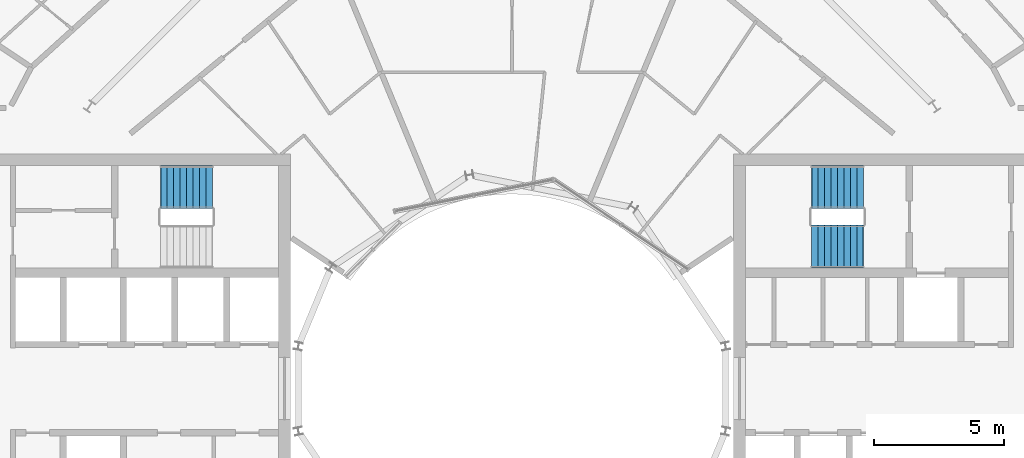
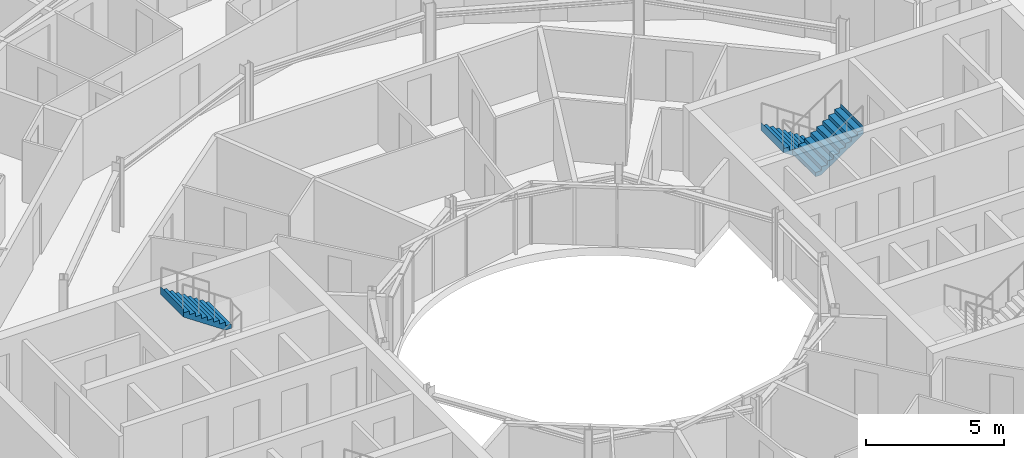
# One storey, part 27 of 29: 3 stair flights, 2 elements without a shape of their own.
"""IFC4 building model written with IfcOpenShell, lengths in metres."""

from ifc_helpers import new_model, si_unit, direction, frame, origin, place, context, subcontext, project, spatial, triangles, material, type_object, element, aggregate, save


model = new_model("IFC4")

# Units and contexts
model_context = context("Model", 3, precision=1e-05, world=origin(), true_north=direction((0.0, 1.0)))
body_context = subcontext(model_context, "Body", "Model", "MODEL_VIEW")
ifc_project = project(units=[si_unit("LENGTHUNIT", "METRE"), si_unit("AREAUNIT", "SQUARE_METRE"), si_unit("VOLUMEUNIT", "CUBIC_METRE"), si_unit("PLANEANGLEUNIT", "RADIAN"), si_unit("MASSUNIT", "GRAM", prefix="KILO")], contexts=[model_context])

# Site, building, storey
site_placement = place(None, origin())
site = spatial("IfcSite", under=ifc_project, at=site_placement, CompositionType="ELEMENT")
building_placement = place(site_placement, origin())
building = spatial("IfcBuilding", under=site, at=building_placement, Name="Maasbend Ring Residences", CompositionType="ELEMENT")
storey_placement = place(building_placement, frame((0.0, 0.0, 212.699951171875)))
storey = spatial("IfcBuildingStorey", under=building, at=storey_placement, Name="L61", CompositionType="ELEMENT", Elevation=212.699951171875)

# Stair, stair flights
ifc_material_1 = material(Name="Concrete C40/50", Category="concrete")
stair_type = type_object("IfcStairType", Name="CORE STAIR 18 RISERS", PredefinedType="HALF_TURN_STAIR", material=ifc_material_1)
stair_1_placement = place(storey_placement, origin())
stair_1 = element("IfcStair", 1, at=stair_1_placement, inside=storey, type_object=stair_type, Name="L61 Exit stair ST-E1", PredefinedType="HALF_TURN_STAIR")
ifc_material_2 = material(Name="Concrete C40/50", Category="concrete")
stair_flight_type = type_object("IfcStairFlightType", Name="CORE STAIR FLIGHT 1650", PredefinedType="STRAIGHT", material=ifc_material_2)
stair_flight_1_placement = place(storey_placement, frame((13.550048828125, 7.77490234375, 0.0), z_axis=(0.0, 0.0, 1.0), x_axis=(-1.0, 0.0, 0.0)))
stair_flight_1 = element("IfcStairFlight", 2, at=stair_flight_1_placement, type_object=stair_flight_type, Name="ST-E1 flight 1", NumberOfRisers=9, NumberOfTreads=8, PredefinedType="STRAIGHT", RiserHeight=0.169444444, TreadLength=0.25, context=body_context, shape_type="Tessellation", body=[
    triangles([(0.24072265625, 0.824951171875, -0.02001953125), (2.0029296875, 0.824951171875, 1.174560546875), (2.0029296875, 0.824951171875, 1.52490234375), (1.989990234375, 0.824951171875, 1.35546875), (1.75, 0.824951171875, 1.35546875), (1.75, 0.824951171875, 1.18603515625), (1.5, 0.824951171875, 1.18603515625), (1.5, 0.824951171875, 1.0166015625), (1.25, 0.824951171875, 1.0166015625), (1.25, 0.824951171875, 0.84716796875), (1.0, 0.824951171875, 0.84716796875), (1.0, 0.824951171875, 0.677734375), (0.75, 0.824951171875, 0.677734375), (0.75, 0.824951171875, 0.50830078125), (0.5, 0.824951171875, 0.50830078125), (0.5, 0.824951171875, 0.3388671875), (0.25, 0.824951171875, 0.3388671875), (0.25, 0.824951171875, 0.16943359375), (0.0, 0.824951171875, 0.16943359375), (0.0, 0.824951171875, 0.0), (-0.0029296875, 0.824951171875, 0.0), (-0.0029296875, 0.824951171875, -0.02001953125), (0.24072265625, 0.27490234375, -0.02001953125), (2.0029296875, 0.27490234375, 1.174560546875), (2.0029296875, 0.27490234375, 1.52490234375), (1.989990234375, 0.27490234375, 1.35546875), (1.75, 0.27490234375, 1.35546875), (1.75, 0.27490234375, 1.18603515625), (1.5, 0.27490234375, 1.18603515625), (1.5, 0.27490234375, 1.0166015625), (1.25, 0.27490234375, 1.0166015625), (1.25, 0.27490234375, 0.84716796875), (1.0, 0.27490234375, 0.84716796875), (1.0, 0.27490234375, 0.677734375), (0.75, 0.27490234375, 0.677734375), (0.75, 0.27490234375, 0.50830078125), (0.5, 0.27490234375, 0.50830078125), (0.5, 0.27490234375, 0.3388671875), (0.25, 0.27490234375, 0.3388671875), (0.25, 0.27490234375, 0.16943359375), (0.0, 0.27490234375, 0.16943359375), (0.0, 0.27490234375, 0.0), (-0.0029296875, 0.27490234375, 0.0), (-0.0029296875, 0.27490234375, -0.02001953125), (0.24072265625, -0.27490234375, -0.02001953125), (2.0029296875, -0.27490234375, 1.174560546875), (2.0029296875, -0.27490234375, 1.52490234375), (1.989990234375, -0.27490234375, 1.35546875), (1.75, -0.27490234375, 1.35546875), (1.75, -0.27490234375, 1.18603515625), (1.5, -0.27490234375, 1.18603515625), (1.5, -0.27490234375, 1.0166015625), (1.25, -0.27490234375, 1.0166015625), (1.25, -0.27490234375, 0.84716796875), (1.0, -0.27490234375, 0.84716796875), (1.0, -0.27490234375, 0.677734375), (0.75, -0.27490234375, 0.677734375), (0.75, -0.27490234375, 0.50830078125), (0.5, -0.27490234375, 0.50830078125), (0.5, -0.27490234375, 0.3388671875), (0.25, -0.27490234375, 0.3388671875), (0.25, -0.27490234375, 0.16943359375), (0.0, -0.27490234375, 0.16943359375), (0.0, -0.27490234375, 0.0), (-0.0029296875, -0.27490234375, 0.0), (-0.0029296875, -0.27490234375, -0.02001953125), (0.24072265625, -0.824951171875, -0.02001953125), (2.0029296875, -0.824951171875, 1.174560546875), (2.0029296875, -0.824951171875, 1.52490234375), (1.989990234375, -0.824951171875, 1.35546875), (1.75, -0.824951171875, 1.35546875), (1.75, -0.824951171875, 1.18603515625), (1.5, -0.824951171875, 1.18603515625), (1.5, -0.824951171875, 1.0166015625), (1.25, -0.824951171875, 1.0166015625), (1.25, -0.824951171875, 0.84716796875), (1.0, -0.824951171875, 0.84716796875), (1.0, -0.824951171875, 0.677734375), (0.75, -0.824951171875, 0.677734375), (0.75, -0.824951171875, 0.50830078125), (0.5, -0.824951171875, 0.50830078125), (0.5, -0.824951171875, 0.3388671875), (0.25, -0.824951171875, 0.3388671875), (0.25, -0.824951171875, 0.16943359375), (0.0, -0.824951171875, 0.16943359375), (0.0, -0.824951171875, 0.0), (-0.0029296875, -0.824951171875, 0.0), (-0.0029296875, -0.824951171875, -0.02001953125)], [[1, 2, 24], [1, 24, 23], [23, 24, 46], [23, 46, 45], [45, 46, 68], [45, 68, 67], [2, 3, 25], [2, 25, 24], [24, 25, 47], [24, 47, 46], [46, 47, 69], [46, 69, 68], [3, 4, 26], [3, 26, 25], [25, 26, 48], [25, 48, 47], [47, 48, 70], [47, 70, 69], [4, 5, 27], [4, 27, 26], [26, 27, 49], [26, 49, 48], [48, 49, 71], [48, 71, 70], [5, 6, 28], [5, 28, 27], [27, 28, 50], [27, 50, 49], [49, 50, 72], [49, 72, 71], [6, 7, 29], [6, 29, 28], [28, 29, 51], [28, 51, 50], [50, 51, 73], [50, 73, 72], [7, 8, 30], [7, 30, 29], [29, 30, 52], [29, 52, 51], [51, 52, 74], [51, 74, 73], [8, 9, 31], [8, 31, 30], [30, 31, 53], [30, 53, 52], [52, 53, 75], [52, 75, 74], [9, 10, 32], [9, 32, 31], [31, 32, 54], [31, 54, 53], [53, 54, 76], [53, 76, 75], [10, 11, 33], [10, 33, 32], [32, 33, 55], [32, 55, 54], [54, 55, 77], [54, 77, 76], [11, 12, 34], [11, 34, 33], [33, 34, 56], [33, 56, 55], [55, 56, 78], [55, 78, 77], [12, 13, 35], [12, 35, 34], [34, 35, 57], [34, 57, 56], [56, 57, 79], [56, 79, 78], [13, 14, 36], [13, 36, 35], [35, 36, 58], [35, 58, 57], [57, 58, 80], [57, 80, 79], [14, 15, 37], [14, 37, 36], [36, 37, 59], [36, 59, 58], [58, 59, 81], [58, 81, 80], [15, 16, 38], [15, 38, 37], [37, 38, 60], [37, 60, 59], [59, 60, 82], [59, 82, 81], [16, 17, 39], [16, 39, 38], [38, 39, 61], [38, 61, 60], [60, 61, 83], [60, 83, 82], [17, 18, 40], [17, 40, 39], [39, 40, 62], [39, 62, 61], [61, 62, 84], [61, 84, 83], [18, 19, 41], [18, 41, 40], [40, 41, 63], [40, 63, 62], [62, 63, 85], [62, 85, 84], [19, 20, 42], [19, 42, 41], [41, 42, 64], [41, 64, 63], [63, 64, 86], [63, 86, 85], [20, 21, 43], [20, 43, 42], [42, 43, 65], [42, 65, 64], [64, 65, 87], [64, 87, 86], [21, 22, 44], [21, 44, 43], [43, 44, 66], [43, 66, 65], [65, 66, 88], [65, 88, 87], [22, 1, 23], [22, 23, 44], [44, 23, 45], [44, 45, 66], [66, 45, 67], [66, 67, 88], [22, 2, 1], [2, 4, 3], [2, 5, 4], [2, 6, 5], [22, 6, 2], [6, 8, 7], [22, 8, 6], [8, 10, 9], [22, 10, 8], [10, 12, 11], [22, 12, 10], [12, 14, 13], [22, 14, 12], [14, 16, 15], [22, 16, 14], [16, 18, 17], [22, 18, 16], [18, 20, 19], [22, 20, 18], [20, 22, 21], [88, 67, 68], [68, 69, 70], [68, 70, 71], [68, 71, 72], [88, 68, 72], [72, 73, 74], [88, 72, 74], [74, 75, 76], [88, 74, 76], [76, 77, 78], [88, 76, 78], [78, 79, 80], [88, 78, 80], [80, 81, 82], [88, 80, 82], [82, 83, 84], [88, 82, 84], [84, 85, 86], [88, 84, 86], [86, 87, 88]], closed=True),
])
stair_flight_2_placement = place(storey_placement, frame((11.550048828125, 5.47509765625, 1.525146484375), z_axis=(0.0, 0.0, 1.0), x_axis=(1.0, 0.0, 0.0)))
stair_flight_2 = element("IfcStairFlight", 3, at=stair_flight_2_placement, type_object=stair_flight_type, Name="ST-E1 flight 2", NumberOfRisers=9, NumberOfTreads=8, PredefinedType="STRAIGHT", RiserHeight=0.169444444, TreadLength=0.25, context=body_context, shape_type="Tessellation", body=[
    triangles([(0.24072265625, 0.824951171875, -0.02001953125), (2.0029296875, 0.824951171875, 1.174560546875), (2.0029296875, 0.824951171875, 1.52490234375), (1.989990234375, 0.824951171875, 1.35546875), (1.75, 0.824951171875, 1.35546875), (1.75, 0.824951171875, 1.18603515625), (1.5, 0.824951171875, 1.18603515625), (1.5, 0.824951171875, 1.0166015625), (1.25, 0.824951171875, 1.0166015625), (1.25, 0.824951171875, 0.84716796875), (1.0, 0.824951171875, 0.84716796875), (1.0, 0.824951171875, 0.677734375), (0.75, 0.824951171875, 0.677734375), (0.75, 0.824951171875, 0.50830078125), (0.5, 0.824951171875, 0.50830078125), (0.5, 0.824951171875, 0.3388671875), (0.25, 0.824951171875, 0.3388671875), (0.25, 0.824951171875, 0.16943359375), (0.0, 0.824951171875, 0.16943359375), (0.0, 0.824951171875, 0.0), (-0.0029296875, 0.824951171875, 0.0), (-0.0029296875, 0.824951171875, -0.02001953125), (0.24072265625, 0.27490234375, -0.02001953125), (2.0029296875, 0.27490234375, 1.174560546875), (2.0029296875, 0.27490234375, 1.52490234375), (1.989990234375, 0.27490234375, 1.35546875), (1.75, 0.27490234375, 1.35546875), (1.75, 0.27490234375, 1.18603515625), (1.5, 0.27490234375, 1.18603515625), (1.5, 0.27490234375, 1.0166015625), (1.25, 0.27490234375, 1.0166015625), (1.25, 0.27490234375, 0.84716796875), (1.0, 0.27490234375, 0.84716796875), (1.0, 0.27490234375, 0.677734375), (0.75, 0.27490234375, 0.677734375), (0.75, 0.27490234375, 0.50830078125), (0.5, 0.27490234375, 0.50830078125), (0.5, 0.27490234375, 0.3388671875), (0.25, 0.27490234375, 0.3388671875), (0.25, 0.27490234375, 0.16943359375), (0.0, 0.27490234375, 0.16943359375), (0.0, 0.27490234375, 0.0), (-0.0029296875, 0.27490234375, 0.0), (-0.0029296875, 0.27490234375, -0.02001953125), (0.24072265625, -0.27490234375, -0.02001953125), (2.0029296875, -0.27490234375, 1.174560546875), (2.0029296875, -0.27490234375, 1.52490234375), (1.989990234375, -0.27490234375, 1.35546875), (1.75, -0.27490234375, 1.35546875), (1.75, -0.27490234375, 1.18603515625), (1.5, -0.27490234375, 1.18603515625), (1.5, -0.27490234375, 1.0166015625), (1.25, -0.27490234375, 1.0166015625), (1.25, -0.27490234375, 0.84716796875), (1.0, -0.27490234375, 0.84716796875), (1.0, -0.27490234375, 0.677734375), (0.75, -0.27490234375, 0.677734375), (0.75, -0.27490234375, 0.50830078125), (0.5, -0.27490234375, 0.50830078125), (0.5, -0.27490234375, 0.3388671875), (0.25, -0.27490234375, 0.3388671875), (0.25, -0.27490234375, 0.16943359375), (0.0, -0.27490234375, 0.16943359375), (0.0, -0.27490234375, 0.0), (-0.0029296875, -0.27490234375, 0.0), (-0.0029296875, -0.27490234375, -0.02001953125), (0.24072265625, -0.824951171875, -0.02001953125), (2.0029296875, -0.824951171875, 1.174560546875), (2.0029296875, -0.824951171875, 1.52490234375), (1.989990234375, -0.824951171875, 1.35546875), (1.75, -0.824951171875, 1.35546875), (1.75, -0.824951171875, 1.18603515625), (1.5, -0.824951171875, 1.18603515625), (1.5, -0.824951171875, 1.0166015625), (1.25, -0.824951171875, 1.0166015625), (1.25, -0.824951171875, 0.84716796875), (1.0, -0.824951171875, 0.84716796875), (1.0, -0.824951171875, 0.677734375), (0.75, -0.824951171875, 0.677734375), (0.75, -0.824951171875, 0.50830078125), (0.5, -0.824951171875, 0.50830078125), (0.5, -0.824951171875, 0.3388671875), (0.25, -0.824951171875, 0.3388671875), (0.25, -0.824951171875, 0.16943359375), (0.0, -0.824951171875, 0.16943359375), (0.0, -0.824951171875, 0.0), (-0.0029296875, -0.824951171875, 0.0), (-0.0029296875, -0.824951171875, -0.02001953125)], [[1, 2, 24], [1, 24, 23], [23, 24, 46], [23, 46, 45], [45, 46, 68], [45, 68, 67], [2, 3, 25], [2, 25, 24], [24, 25, 47], [24, 47, 46], [46, 47, 69], [46, 69, 68], [3, 4, 26], [3, 26, 25], [25, 26, 48], [25, 48, 47], [47, 48, 70], [47, 70, 69], [4, 5, 27], [4, 27, 26], [26, 27, 49], [26, 49, 48], [48, 49, 71], [48, 71, 70], [5, 6, 28], [5, 28, 27], [27, 28, 50], [27, 50, 49], [49, 50, 72], [49, 72, 71], [6, 7, 29], [6, 29, 28], [28, 29, 51], [28, 51, 50], [50, 51, 73], [50, 73, 72], [7, 8, 30], [7, 30, 29], [29, 30, 52], [29, 52, 51], [51, 52, 74], [51, 74, 73], [8, 9, 31], [8, 31, 30], [30, 31, 53], [30, 53, 52], [52, 53, 75], [52, 75, 74], [9, 10, 32], [9, 32, 31], [31, 32, 54], [31, 54, 53], [53, 54, 76], [53, 76, 75], [10, 11, 33], [10, 33, 32], [32, 33, 55], [32, 55, 54], [54, 55, 77], [54, 77, 76], [11, 12, 34], [11, 34, 33], [33, 34, 56], [33, 56, 55], [55, 56, 78], [55, 78, 77], [12, 13, 35], [12, 35, 34], [34, 35, 57], [34, 57, 56], [56, 57, 79], [56, 79, 78], [13, 14, 36], [13, 36, 35], [35, 36, 58], [35, 58, 57], [57, 58, 80], [57, 80, 79], [14, 15, 37], [14, 37, 36], [36, 37, 59], [36, 59, 58], [58, 59, 81], [58, 81, 80], [15, 16, 38], [15, 38, 37], [37, 38, 60], [37, 60, 59], [59, 60, 82], [59, 82, 81], [16, 17, 39], [16, 39, 38], [38, 39, 61], [38, 61, 60], [60, 61, 83], [60, 83, 82], [17, 18, 40], [17, 40, 39], [39, 40, 62], [39, 62, 61], [61, 62, 84], [61, 84, 83], [18, 19, 41], [18, 41, 40], [40, 41, 63], [40, 63, 62], [62, 63, 85], [62, 85, 84], [19, 20, 42], [19, 42, 41], [41, 42, 64], [41, 64, 63], [63, 64, 86], [63, 86, 85], [20, 21, 43], [20, 43, 42], [42, 43, 65], [42, 65, 64], [64, 65, 87], [64, 87, 86], [21, 22, 44], [21, 44, 43], [43, 44, 66], [43, 66, 65], [65, 66, 88], [65, 88, 87], [22, 1, 23], [22, 23, 44], [44, 23, 45], [44, 45, 66], [66, 45, 67], [66, 67, 88], [22, 2, 1], [2, 4, 3], [2, 5, 4], [2, 6, 5], [22, 6, 2], [6, 8, 7], [22, 8, 6], [8, 10, 9], [22, 10, 8], [10, 12, 11], [22, 12, 10], [12, 14, 13], [22, 14, 12], [14, 16, 15], [22, 16, 14], [16, 18, 17], [22, 18, 16], [18, 20, 19], [22, 20, 18], [20, 22, 21], [88, 67, 68], [68, 69, 70], [68, 70, 71], [68, 71, 72], [88, 68, 72], [72, 73, 74], [88, 72, 74], [74, 75, 76], [88, 74, 76], [76, 77, 78], [88, 76, 78], [78, 79, 80], [88, 78, 80], [80, 81, 82], [88, 80, 82], [82, 83, 84], [88, 82, 84], [84, 85, 86], [88, 84, 86], [86, 87, 88]], closed=True),
])
aggregate(stair_1, [stair_flight_1, stair_flight_2])

# Stair, stair flight
stair_2_placement = place(storey_placement, origin())
stair_2 = element("IfcStair", 4, at=stair_2_placement, inside=storey, type_object=stair_type, Name="L61 Exit stair ST-W2", PredefinedType="HALF_TURN_STAIR")
stair_flight_3_placement = place(storey_placement, frame((-11.550048828125, 7.77490234375, 1.525146484375), z_axis=(0.0, 0.0, 1.0), x_axis=(-1.0, 0.0, 0.0)))
stair_flight_3 = element("IfcStairFlight", 5, at=stair_flight_3_placement, type_object=stair_flight_type, Name="ST-W2 flight 2", NumberOfRisers=9, NumberOfTreads=8, PredefinedType="STRAIGHT", RiserHeight=0.169444444, TreadLength=0.25, context=body_context, shape_type="Tessellation", body=[
    triangles([(0.24072265625, 0.824951171875, -0.02001953125), (2.0029296875, 0.824951171875, 1.174560546875), (2.0029296875, 0.824951171875, 1.52490234375), (1.989990234375, 0.824951171875, 1.35546875), (1.75, 0.824951171875, 1.35546875), (1.75, 0.824951171875, 1.18603515625), (1.5, 0.824951171875, 1.18603515625), (1.5, 0.824951171875, 1.0166015625), (1.25, 0.824951171875, 1.0166015625), (1.25, 0.824951171875, 0.84716796875), (1.0, 0.824951171875, 0.84716796875), (1.0, 0.824951171875, 0.677734375), (0.75, 0.824951171875, 0.677734375), (0.75, 0.824951171875, 0.50830078125), (0.5, 0.824951171875, 0.50830078125), (0.5, 0.824951171875, 0.3388671875), (0.25, 0.824951171875, 0.3388671875), (0.25, 0.824951171875, 0.16943359375), (0.0, 0.824951171875, 0.16943359375), (0.0, 0.824951171875, 0.0), (-0.0029296875, 0.824951171875, 0.0), (-0.0029296875, 0.824951171875, -0.02001953125), (0.24072265625, 0.27490234375, -0.02001953125), (2.0029296875, 0.27490234375, 1.174560546875), (2.0029296875, 0.27490234375, 1.52490234375), (1.989990234375, 0.27490234375, 1.35546875), (1.75, 0.27490234375, 1.35546875), (1.75, 0.27490234375, 1.18603515625), (1.5, 0.27490234375, 1.18603515625), (1.5, 0.27490234375, 1.0166015625), (1.25, 0.27490234375, 1.0166015625), (1.25, 0.27490234375, 0.84716796875), (1.0, 0.27490234375, 0.84716796875), (1.0, 0.27490234375, 0.677734375), (0.75, 0.27490234375, 0.677734375), (0.75, 0.27490234375, 0.50830078125), (0.5, 0.27490234375, 0.50830078125), (0.5, 0.27490234375, 0.3388671875), (0.25, 0.27490234375, 0.3388671875), (0.25, 0.27490234375, 0.16943359375), (0.0, 0.27490234375, 0.16943359375), (0.0, 0.27490234375, 0.0), (-0.0029296875, 0.27490234375, 0.0), (-0.0029296875, 0.27490234375, -0.02001953125), (0.24072265625, -0.27490234375, -0.02001953125), (2.0029296875, -0.27490234375, 1.174560546875), (2.0029296875, -0.27490234375, 1.52490234375), (1.989990234375, -0.27490234375, 1.35546875), (1.75, -0.27490234375, 1.35546875), (1.75, -0.27490234375, 1.18603515625), (1.5, -0.27490234375, 1.18603515625), (1.5, -0.27490234375, 1.0166015625), (1.25, -0.27490234375, 1.0166015625), (1.25, -0.27490234375, 0.84716796875), (1.0, -0.27490234375, 0.84716796875), (1.0, -0.27490234375, 0.677734375), (0.75, -0.27490234375, 0.677734375), (0.75, -0.27490234375, 0.50830078125), (0.5, -0.27490234375, 0.50830078125), (0.5, -0.27490234375, 0.3388671875), (0.25, -0.27490234375, 0.3388671875), (0.25, -0.27490234375, 0.16943359375), (0.0, -0.27490234375, 0.16943359375), (0.0, -0.27490234375, 0.0), (-0.0029296875, -0.27490234375, 0.0), (-0.0029296875, -0.27490234375, -0.02001953125), (0.24072265625, -0.824951171875, -0.02001953125), (2.0029296875, -0.824951171875, 1.174560546875), (2.0029296875, -0.824951171875, 1.52490234375), (1.989990234375, -0.824951171875, 1.35546875), (1.75, -0.824951171875, 1.35546875), (1.75, -0.824951171875, 1.18603515625), (1.5, -0.824951171875, 1.18603515625), (1.5, -0.824951171875, 1.0166015625), (1.25, -0.824951171875, 1.0166015625), (1.25, -0.824951171875, 0.84716796875), (1.0, -0.824951171875, 0.84716796875), (1.0, -0.824951171875, 0.677734375), (0.75, -0.824951171875, 0.677734375), (0.75, -0.824951171875, 0.50830078125), (0.5, -0.824951171875, 0.50830078125), (0.5, -0.824951171875, 0.3388671875), (0.25, -0.824951171875, 0.3388671875), (0.25, -0.824951171875, 0.16943359375), (0.0, -0.824951171875, 0.16943359375), (0.0, -0.824951171875, 0.0), (-0.0029296875, -0.824951171875, 0.0), (-0.0029296875, -0.824951171875, -0.02001953125)], [[1, 2, 24], [1, 24, 23], [23, 24, 46], [23, 46, 45], [45, 46, 68], [45, 68, 67], [2, 3, 25], [2, 25, 24], [24, 25, 47], [24, 47, 46], [46, 47, 69], [46, 69, 68], [3, 4, 26], [3, 26, 25], [25, 26, 48], [25, 48, 47], [47, 48, 70], [47, 70, 69], [4, 5, 27], [4, 27, 26], [26, 27, 49], [26, 49, 48], [48, 49, 71], [48, 71, 70], [5, 6, 28], [5, 28, 27], [27, 28, 50], [27, 50, 49], [49, 50, 72], [49, 72, 71], [6, 7, 29], [6, 29, 28], [28, 29, 51], [28, 51, 50], [50, 51, 73], [50, 73, 72], [7, 8, 30], [7, 30, 29], [29, 30, 52], [29, 52, 51], [51, 52, 74], [51, 74, 73], [8, 9, 31], [8, 31, 30], [30, 31, 53], [30, 53, 52], [52, 53, 75], [52, 75, 74], [9, 10, 32], [9, 32, 31], [31, 32, 54], [31, 54, 53], [53, 54, 76], [53, 76, 75], [10, 11, 33], [10, 33, 32], [32, 33, 55], [32, 55, 54], [54, 55, 77], [54, 77, 76], [11, 12, 34], [11, 34, 33], [33, 34, 56], [33, 56, 55], [55, 56, 78], [55, 78, 77], [12, 13, 35], [12, 35, 34], [34, 35, 57], [34, 57, 56], [56, 57, 79], [56, 79, 78], [13, 14, 36], [13, 36, 35], [35, 36, 58], [35, 58, 57], [57, 58, 80], [57, 80, 79], [14, 15, 37], [14, 37, 36], [36, 37, 59], [36, 59, 58], [58, 59, 81], [58, 81, 80], [15, 16, 38], [15, 38, 37], [37, 38, 60], [37, 60, 59], [59, 60, 82], [59, 82, 81], [16, 17, 39], [16, 39, 38], [38, 39, 61], [38, 61, 60], [60, 61, 83], [60, 83, 82], [17, 18, 40], [17, 40, 39], [39, 40, 62], [39, 62, 61], [61, 62, 84], [61, 84, 83], [18, 19, 41], [18, 41, 40], [40, 41, 63], [40, 63, 62], [62, 63, 85], [62, 85, 84], [19, 20, 42], [19, 42, 41], [41, 42, 64], [41, 64, 63], [63, 64, 86], [63, 86, 85], [20, 21, 43], [20, 43, 42], [42, 43, 65], [42, 65, 64], [64, 65, 87], [64, 87, 86], [21, 22, 44], [21, 44, 43], [43, 44, 66], [43, 66, 65], [65, 66, 88], [65, 88, 87], [22, 1, 23], [22, 23, 44], [44, 23, 45], [44, 45, 66], [66, 45, 67], [66, 67, 88], [22, 2, 1], [2, 4, 3], [2, 5, 4], [2, 6, 5], [22, 6, 2], [6, 8, 7], [22, 8, 6], [8, 10, 9], [22, 10, 8], [10, 12, 11], [22, 12, 10], [12, 14, 13], [22, 14, 12], [14, 16, 15], [22, 16, 14], [16, 18, 17], [22, 18, 16], [18, 20, 19], [22, 20, 18], [20, 22, 21], [88, 67, 68], [68, 69, 70], [68, 70, 71], [68, 71, 72], [88, 68, 72], [72, 73, 74], [88, 72, 74], [74, 75, 76], [88, 74, 76], [76, 77, 78], [88, 76, 78], [78, 79, 80], [88, 78, 80], [80, 81, 82], [88, 80, 82], [82, 83, 84], [88, 82, 84], [84, 85, 86], [88, 84, 86], [86, 87, 88]], closed=True),
])
aggregate(stair_2, [stair_flight_3])

save(model, "model.ifc")
